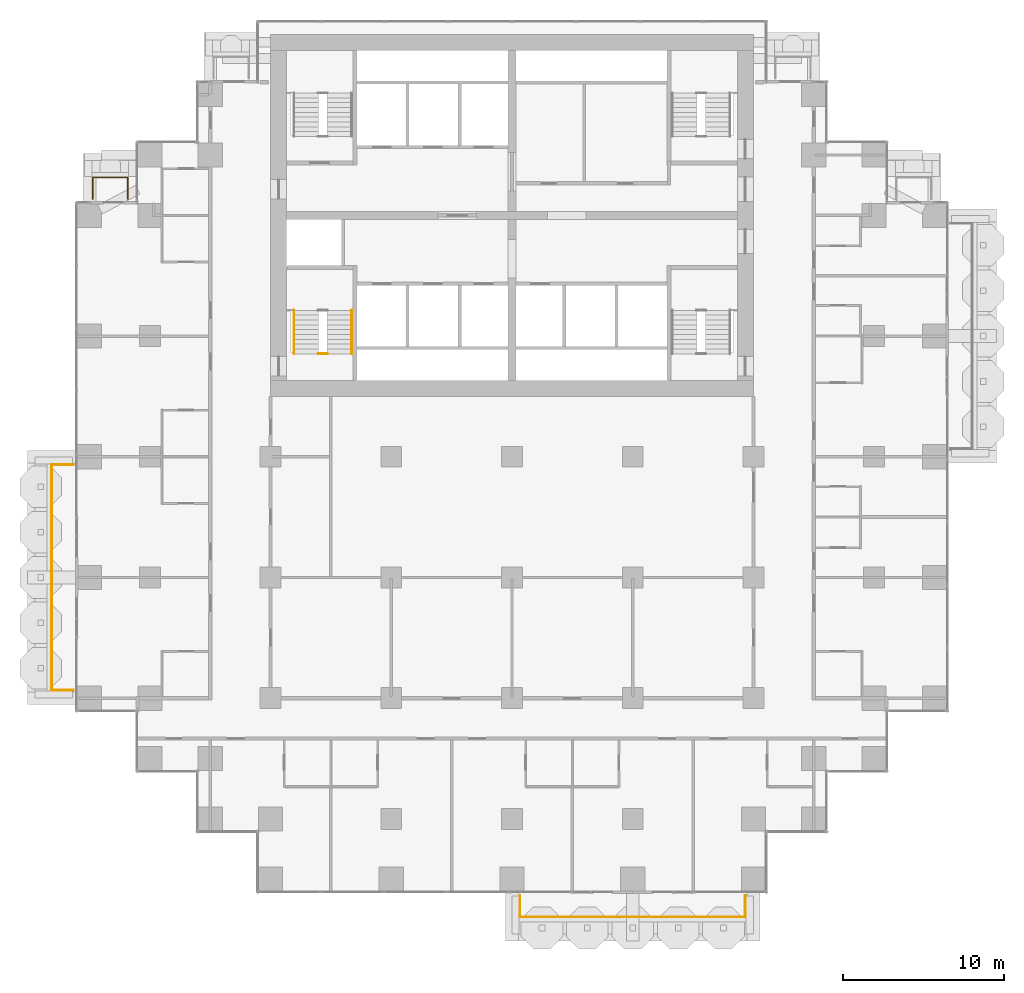
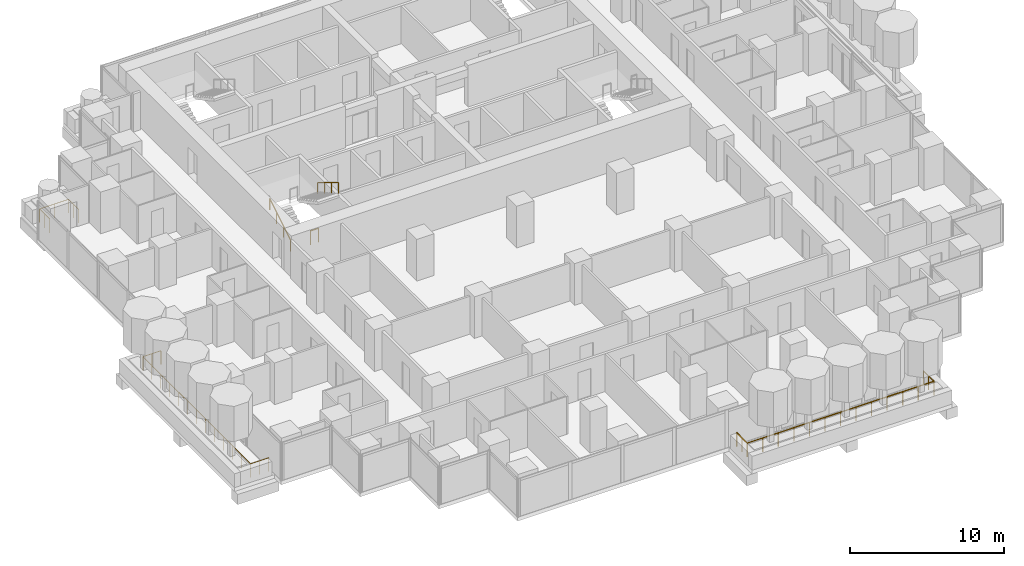
# One storey, part 17 of 19: 6 railings.
"""IFC4 building model written with IfcOpenShell, lengths in metres."""

from ifc_helpers import new_model, si_unit, direction, frame, origin, origin_2d, place, context, subcontext, project, spatial, circle, extrude, material, type_object, element, save


model = new_model("IFC4")

# Units and contexts
model_context = context("Model", 3, precision=1e-05, world=origin(), true_north=direction((0.0, 1.0)))
body_context = subcontext(model_context, "Body", "Model", "MODEL_VIEW")
ifc_project = project(units=[si_unit("LENGTHUNIT", "METRE"), si_unit("AREAUNIT", "SQUARE_METRE"), si_unit("VOLUMEUNIT", "CUBIC_METRE"), si_unit("PLANEANGLEUNIT", "RADIAN"), si_unit("MASSUNIT", "GRAM", prefix="KILO")], contexts=[model_context])

# Site, building, storey
site_placement = place(None, origin())
site = spatial("IfcSite", under=ifc_project, at=site_placement, CompositionType="ELEMENT")
building_placement = place(site_placement, origin())
building = spatial("IfcBuilding", under=site, at=building_placement, Name="Pilkhan Gate Tower", CompositionType="ELEMENT")
storey_placement = place(building_placement, frame((0.0, 0.0, 79.10009765625)))
storey = spatial("IfcBuildingStorey", under=building, at=storey_placement, Name="L18", CompositionType="ELEMENT", Elevation=79.10009765625)

# Railings
ifc_material_1 = material(Name="Pale anodised aluminium posts, laminated glass infill", Category="aluminium")
railing_type_1 = type_object("IfcRailingType", Name="Balcony guard G1", PredefinedType="BALUSTRADE", material=ifc_material_1)
railing_1_placement = place(storey_placement, frame((75.5, 40.25, 0.0)))
element("IfcRailing", 1, at=railing_1_placement, inside=storey, type_object=railing_type_1, Name="Balcony guard L18 S", PredefinedType="BALUSTRADE", context=body_context, shape_type="SweptSolid", body=[
    extrude(circle(Radius=0.02392578125, at=origin_2d()), frame((0.0, 0.0, 1.076171875), z_axis=(0.0, -1.0, 0.0), x_axis=(1.0, 0.0, 0.0)), (0.0, 0.0, 1.0), 1.35009765625),
    extrude(circle(Radius=0.02392578125, at=origin_2d()), frame((0.0, -1.35009765625, 1.076171875), z_axis=(1.0, 0.0, 0.0), x_axis=(0.0, 1.0, 0.0)), (0.0, 0.0, 1.0), 14.0),
    extrude(circle(Radius=0.02392578125, at=origin_2d()), frame((14.0, -1.35009765625, 1.076171875), z_axis=(0.0, 1.0, 0.0), x_axis=(-1.0, 0.0, 0.0)), (0.0, 0.0, 1.0), 1.35009765625),
    extrude(circle(Radius=0.02099609375, at=origin_2d()), origin(), (0.0, 0.0, 1.0), 1.052001953125),
    extrude(circle(Radius=0.02099609375, at=origin_2d()), frame((0.0, -0.675048828125, 0.0)), (0.0, 0.0, 1.0), 1.052001953125),
    extrude(circle(Radius=0.02099609375, at=origin_2d()), frame((0.0, -1.35009765625, 0.0)), (0.0, 0.0, 1.0), 1.052001953125),
    extrude(circle(Radius=0.02099609375, at=origin_2d()), frame((1.166748046875, -1.35009765625, 0.0)), (0.0, 0.0, 1.0), 1.052001953125),
    extrude(circle(Radius=0.02099609375, at=origin_2d()), frame((2.333251953125, -1.35009765625, 0.0)), (0.0, 0.0, 1.0), 1.052001953125),
    extrude(circle(Radius=0.02099609375, at=origin_2d()), frame((3.5, -1.35009765625, 0.0)), (0.0, 0.0, 1.0), 1.052001953125),
    extrude(circle(Radius=0.02099609375, at=origin_2d()), frame((4.666748046875, -1.35009765625, 0.0)), (0.0, 0.0, 1.0), 1.052001953125),
    extrude(circle(Radius=0.02099609375, at=origin_2d()), frame((5.833251953125, -1.35009765625, 0.0)), (0.0, 0.0, 1.0), 1.052001953125),
    extrude(circle(Radius=0.02099609375, at=origin_2d()), frame((7.0, -1.35009765625, 0.0)), (0.0, 0.0, 1.0), 1.052001953125),
    extrude(circle(Radius=0.02099609375, at=origin_2d()), frame((8.166748046875, -1.35009765625, 0.0)), (0.0, 0.0, 1.0), 1.052001953125),
    extrude(circle(Radius=0.02099609375, at=origin_2d()), frame((9.333251953125, -1.35009765625, 0.0)), (0.0, 0.0, 1.0), 1.052001953125),
    extrude(circle(Radius=0.02099609375, at=origin_2d()), frame((10.5, -1.35009765625, 0.0)), (0.0, 0.0, 1.0), 1.052001953125),
    extrude(circle(Radius=0.02099609375, at=origin_2d()), frame((11.666748046875, -1.35009765625, 0.0)), (0.0, 0.0, 1.0), 1.052001953125),
    extrude(circle(Radius=0.02099609375, at=origin_2d()), frame((12.833251953125, -1.35009765625, 0.0)), (0.0, 0.0, 1.0), 1.052001953125),
    extrude(circle(Radius=0.02099609375, at=origin_2d()), frame((14.0, -1.35009765625, 0.0)), (0.0, 0.0, 1.0), 1.052001953125),
    extrude(circle(Radius=0.02099609375, at=origin_2d()), frame((14.0, -0.675048828125, 0.0)), (0.0, 0.0, 1.0), 1.052001953125),
    extrude(circle(Radius=0.02099609375, at=origin_2d()), frame((14.0, 0.0, 0.0)), (0.0, 0.0, 1.0), 1.052001953125),
])
railing_2_placement = place(storey_placement, frame((48.949951171875, 83.52001953125, 0.0)))
element("IfcRailing", 2, at=railing_2_placement, inside=storey, type_object=railing_type_1, Name="Balcony guard L18 N", PredefinedType="BALUSTRADE", context=body_context, shape_type="SweptSolid", body=[
    extrude(circle(Radius=0.02392578125, at=origin_2d()), frame((0.0, 0.0, 1.076171875), z_axis=(0.0, 1.0, 0.0), x_axis=(-1.0, 0.0, 0.0)), (0.0, 0.0, 1.0), 1.330078125),
    extrude(circle(Radius=0.02392578125, at=origin_2d()), frame((0.0, 1.330078125, 1.076171875), z_axis=(1.0, 0.0, 0.0), x_axis=(0.0, 1.0, 0.0)), (0.0, 0.0, 1.0), 2.179931640625),
    extrude(circle(Radius=0.02392578125, at=origin_2d()), frame((2.179931640625, 1.330078125, 1.076171875), z_axis=(0.0, -1.0, 0.0), x_axis=(1.0, 0.0, 0.0)), (0.0, 0.0, 1.0), 1.330078125),
    extrude(circle(Radius=0.02099609375, at=origin_2d()), origin(), (0.0, 0.0, 1.0), 1.052001953125),
    extrude(circle(Radius=0.02099609375, at=origin_2d()), frame((0.0, 0.6650390625, 0.0)), (0.0, 0.0, 1.0), 1.052001953125),
    extrude(circle(Radius=0.02099609375, at=origin_2d()), frame((0.0, 1.330078125, 0.0)), (0.0, 0.0, 1.0), 1.052001953125),
    extrude(circle(Radius=0.02099609375, at=origin_2d()), frame((1.08984375, 1.330078125, 0.0)), (0.0, 0.0, 1.0), 1.052001953125),
    extrude(circle(Radius=0.02099609375, at=origin_2d()), frame((2.179931640625, 1.330078125, 0.0)), (0.0, 0.0, 1.0), 1.052001953125),
    extrude(circle(Radius=0.02099609375, at=origin_2d()), frame((2.179931640625, 0.6650390625, 0.0)), (0.0, 0.0, 1.0), 1.052001953125),
    extrude(circle(Radius=0.02099609375, at=origin_2d()), frame((2.179931640625, 0.0, 0.0)), (0.0, 0.0, 1.0), 1.052001953125),
])
railing_3_placement = place(storey_placement, frame((47.75, 53.0, 0.0)))
element("IfcRailing", 3, at=railing_3_placement, inside=storey, type_object=railing_type_1, Name="Balcony guard L18 W", PredefinedType="BALUSTRADE", context=body_context, shape_type="SweptSolid", body=[
    extrude(circle(Radius=0.02392578125, at=origin_2d()), frame((0.0, 0.0, 1.076171875), z_axis=(-1.0, 0.0, 0.0), x_axis=(0.0, -1.0, 0.0)), (0.0, 0.0, 1.0), 1.35009765625),
    extrude(circle(Radius=0.02392578125, at=origin_2d()), frame((-1.35009765625, 0.0, 1.076171875), z_axis=(0.0, 1.0, 0.0), x_axis=(-1.0, 0.0, 0.0)), (0.0, 0.0, 1.0), 14.0),
    extrude(circle(Radius=0.02392578125, at=origin_2d()), frame((-1.35009765625, 14.0, 1.076171875), z_axis=(1.0, 0.0, 0.0), x_axis=(0.0, 1.0, 0.0)), (0.0, 0.0, 1.0), 1.35009765625),
    extrude(circle(Radius=0.02099609375, at=origin_2d()), origin(), (0.0, 0.0, 1.0), 1.052001953125),
    extrude(circle(Radius=0.02099609375, at=origin_2d()), frame((-0.675048828125, 0.0, 0.0)), (0.0, 0.0, 1.0), 1.052001953125),
    extrude(circle(Radius=0.02099609375, at=origin_2d()), frame((-1.35009765625, 0.0, 0.0)), (0.0, 0.0, 1.0), 1.052001953125),
    extrude(circle(Radius=0.02099609375, at=origin_2d()), frame((-1.35009765625, 1.166748046875, 0.0)), (0.0, 0.0, 1.0), 1.052001953125),
    extrude(circle(Radius=0.02099609375, at=origin_2d()), frame((-1.35009765625, 2.333251953125, 0.0)), (0.0, 0.0, 1.0), 1.052001953125),
    extrude(circle(Radius=0.02099609375, at=origin_2d()), frame((-1.35009765625, 3.5, 0.0)), (0.0, 0.0, 1.0), 1.052001953125),
    extrude(circle(Radius=0.02099609375, at=origin_2d()), frame((-1.35009765625, 4.666748046875, 0.0)), (0.0, 0.0, 1.0), 1.052001953125),
    extrude(circle(Radius=0.02099609375, at=origin_2d()), frame((-1.35009765625, 5.833251953125, 0.0)), (0.0, 0.0, 1.0), 1.052001953125),
    extrude(circle(Radius=0.02099609375, at=origin_2d()), frame((-1.35009765625, 7.0, 0.0)), (0.0, 0.0, 1.0), 1.052001953125),
    extrude(circle(Radius=0.02099609375, at=origin_2d()), frame((-1.35009765625, 8.166748046875, 0.0)), (0.0, 0.0, 1.0), 1.052001953125),
    extrude(circle(Radius=0.02099609375, at=origin_2d()), frame((-1.35009765625, 9.333251953125, 0.0)), (0.0, 0.0, 1.0), 1.052001953125),
    extrude(circle(Radius=0.02099609375, at=origin_2d()), frame((-1.35009765625, 10.5, 0.0)), (0.0, 0.0, 1.0), 1.052001953125),
    extrude(circle(Radius=0.02099609375, at=origin_2d()), frame((-1.35009765625, 11.666748046875, 0.0)), (0.0, 0.0, 1.0), 1.052001953125),
    extrude(circle(Radius=0.02099609375, at=origin_2d()), frame((-1.35009765625, 12.833251953125, 0.0)), (0.0, 0.0, 1.0), 1.052001953125),
    extrude(circle(Radius=0.02099609375, at=origin_2d()), frame((-1.35009765625, 14.0, 0.0)), (0.0, 0.0, 1.0), 1.052001953125),
    extrude(circle(Radius=0.02099609375, at=origin_2d()), frame((-0.675048828125, 14.0, 0.0)), (0.0, 0.0, 1.0), 1.052001953125),
    extrude(circle(Radius=0.02099609375, at=origin_2d()), frame((0.0, 14.0, 0.0)), (0.0, 0.0, 1.0), 1.052001953125),
])
ifc_material_2 = material(Name="Black powder-coated steel tube", Category="steel")
railing_type_2 = type_object("IfcRailingType", Name="Stair handrail HR1", PredefinedType="HANDRAIL", material=ifc_material_2)
railing_4_placement = place(storey_placement, frame((61.449951171875, 73.89990234375, 0.0)))
element("IfcRailing", 4, at=railing_4_placement, inside=storey, type_object=railing_type_2, Name="Stair ST2 handrail L18", PredefinedType="HANDRAIL", context=body_context, shape_type="SweptSolid", body=[
    extrude(circle(Radius=0.02392578125, at=origin_2d()), frame((0.0, 0.0, 0.8759765625), z_axis=(0.0, 0.853312346642, 0.521400075823), x_axis=(-1.0, 0.0, 0.0)), (0.0, 0.0, 1.0), 3.164306640625),
    extrude(circle(Radius=0.02099609375, at=origin_2d()), origin(), (0.0, 0.0, 1.0), 0.851806640625),
    extrude(circle(Radius=0.02099609375, at=origin_2d()), frame((0.0, 0.900146484375, 0.550048828125)), (0.0, 0.0, 1.0), 0.851806640625),
    extrude(circle(Radius=0.02099609375, at=origin_2d()), frame((0.0, 1.800048828125, 1.099853515625)), (0.0, 0.0, 1.0), 0.851806640625),
    extrude(circle(Radius=0.02099609375, at=origin_2d()), frame((0.0, 2.7001953125, 1.64990234375)), (0.0, 0.0, 1.0), 0.851806640625),
])
railing_5_placement = place(storey_placement, frame((65.050048828125, 76.60009765625, 1.64990234375)))
element("IfcRailing", 5, at=railing_5_placement, inside=storey, type_object=railing_type_2, Name="Stair ST2 handrail L18", PredefinedType="HANDRAIL", context=body_context, shape_type="SweptSolid", body=[
    extrude(circle(Radius=0.02392578125, at=origin_2d()), frame((0.0, 0.0, 0.8759765625), z_axis=(0.0, -0.853312346642, 0.521400075823), x_axis=(1.0, 0.0, 0.0)), (0.0, 0.0, 1.0), 3.164306640625),
    extrude(circle(Radius=0.02099609375, at=origin_2d()), origin(), (0.0, 0.0, 1.0), 0.851806640625),
    extrude(circle(Radius=0.02099609375, at=origin_2d()), frame((0.0, -0.900146484375, 0.550048828125)), (0.0, 0.0, 1.0), 0.851806640625),
    extrude(circle(Radius=0.02099609375, at=origin_2d()), frame((0.0, -1.800048828125, 1.099853515625)), (0.0, 0.0, 1.0), 0.851806640625),
    extrude(circle(Radius=0.02099609375, at=origin_2d()), frame((0.0, -2.7001953125, 1.64990234375)), (0.0, 0.0, 1.0), 0.851806640625),
])
ifc_material_3 = material(Name="Black powder-coated steel balusters", Category="steel")
railing_type_3 = type_object("IfcRailingType", Name="Stair well guard G3", PredefinedType="GUARDRAIL", material=ifc_material_3)
railing_6_placement = place(storey_placement, frame((62.9599609375, 73.89990234375, 0.0)))
element("IfcRailing", 6, at=railing_6_placement, inside=storey, type_object=railing_type_3, Name="Stair ST2 well guard L18", PredefinedType="GUARDRAIL", context=body_context, shape_type="SweptSolid", body=[
    extrude(circle(Radius=0.02392578125, at=origin_2d()), frame((0.0, 0.0, 1.076171875), z_axis=(1.0, 0.0, 0.0), x_axis=(0.0, 1.0, 0.0)), (0.0, 0.0, 1.0), 0.580078125),
    extrude(circle(Radius=0.02099609375, at=origin_2d()), origin(), (0.0, 0.0, 1.0), 1.052001953125),
    extrude(circle(Radius=0.02099609375, at=origin_2d()), frame((0.580078125, 0.0, 0.0)), (0.0, 0.0, 1.0), 1.052001953125),
])

save(model, "model.ifc")
